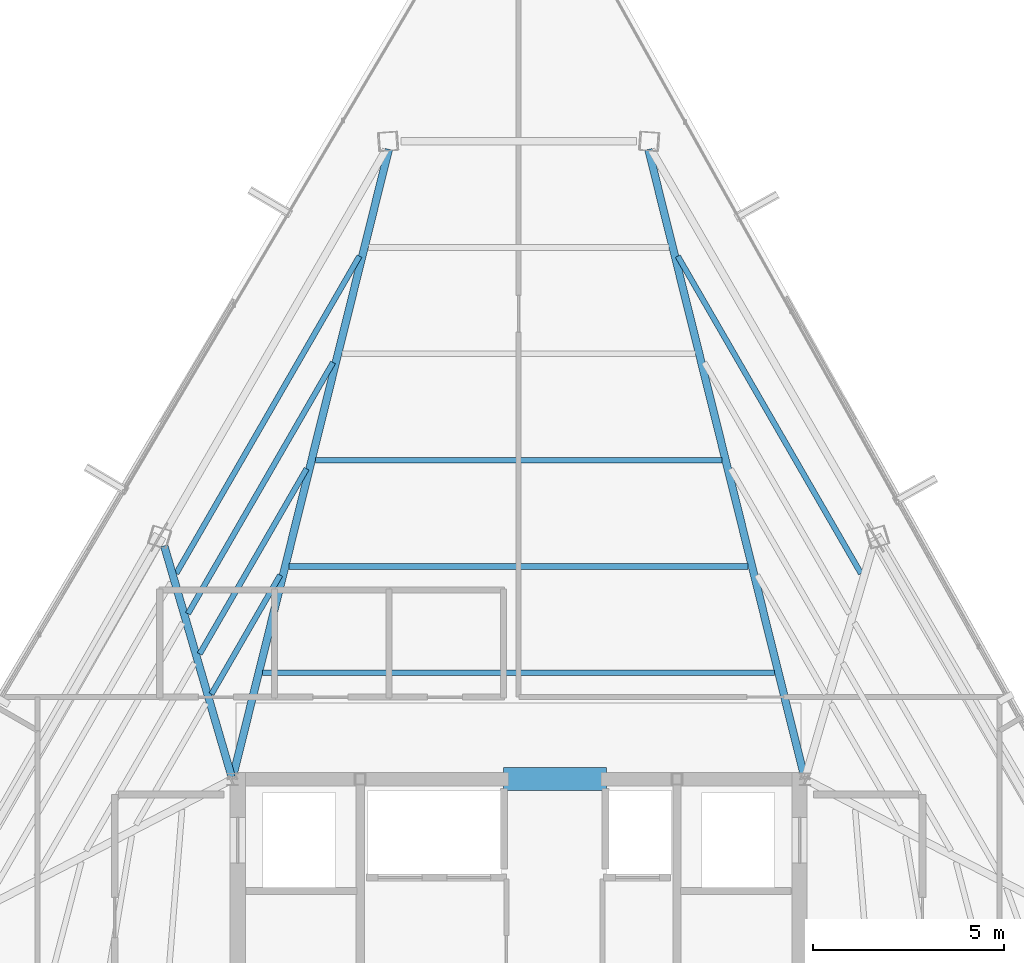
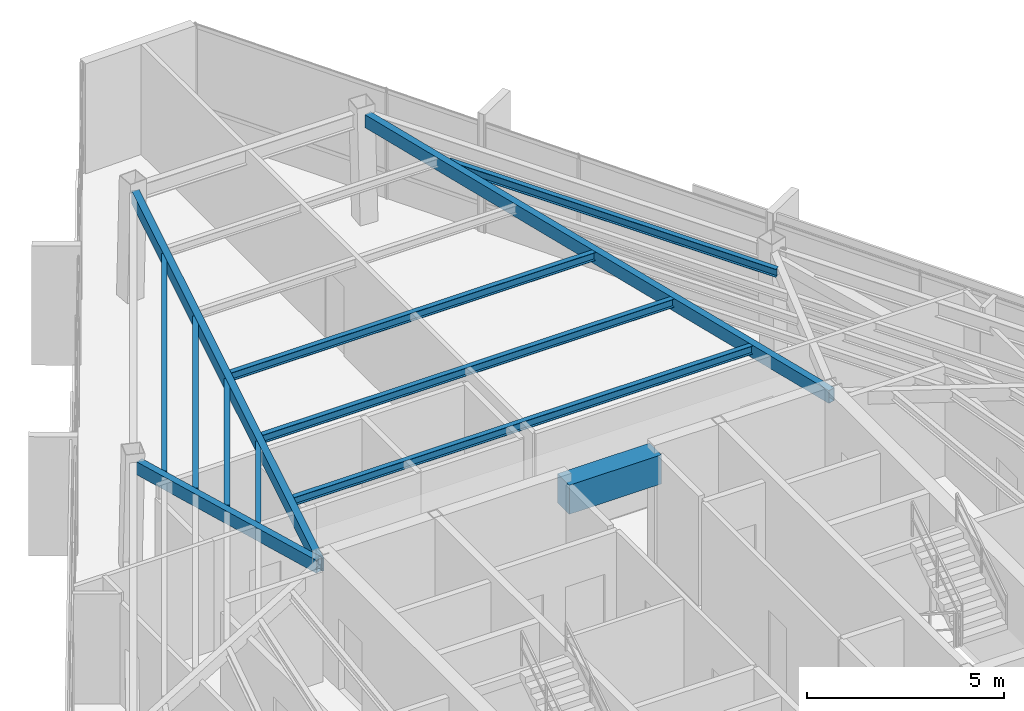
# One storey, part 20 of 45: 12 beams.
"""IFC4 building model written with IfcOpenShell, lengths in metres."""

import ifcopenshell
import ifcopenshell.guid

model = None  # the IFC model being written
_history = None  # IfcOwnerHistory: only IFC2X3 demands one
_inside = {}  # id of a spatial element -> (the spatial element, [elements in it])
_under = {}  # id of a project, library or spatial element -> (it, [spatial elements below it])
_declared = {}  # id of a project -> (the project, [libraries it declares])
_typed = {}  # id of a type object -> (the type object, [elements of that type])
_made_of = {}  # id of a material, layer set ... -> (it, [elements and type objects made of it])


def new_model(schema):
    """Start an empty IFC model of exactly this schema.

    Asked for "IFC4X3", IfcOpenShell would pick the latest addendum, in which some entities
    have other attributes; the version numbers below select the first issue.
    IFC2X3 requires an IfcOwnerHistory on every rooted entity: one is made here for all.
    """
    global model, _history
    if schema == "IFC4X3":
        model = ifcopenshell.file(schema_version=(4, 3, 0, 0))
    else:
        model = ifcopenshell.file(schema=schema)
    _inside.clear()
    _under.clear()
    _declared.clear()
    _typed.clear()
    _made_of.clear()
    _history = None
    if model.schema == "IFC2X3":
        org = make("IfcOrganization", Name="unknown")
        user = make(
            "IfcPersonAndOrganization",
            ThePerson=make("IfcPerson", FamilyName="unknown"),
            TheOrganization=org,
        )
        app = make(
            "IfcApplication",
            ApplicationDeveloper=org,
            Version="unknown",
            ApplicationFullName="unknown",
            ApplicationIdentifier="unknown",
        )
        _history = make(
            "IfcOwnerHistory",
            OwningUser=user,
            OwningApplication=app,
            ChangeAction="ADDED",
            CreationDate=0,
        )
    return model


def make(cls, **values):
    """One entity of the class cls with the attributes given. An attribute that is None is left unset."""
    return model.create_entity(
        cls, **{name: value for name, value in values.items() if value is not None}
    )


def rooted(cls, **values):
    """An entity with a GlobalId (a new one), such as an element, a storey or a relation."""
    return make(cls, GlobalId=ifcopenshell.guid.new(), OwnerHistory=_history, **values)


def si_unit(unit_type, name, prefix=None):
    """IfcSIUnit, for example si_unit("LENGTHUNIT", "METRE", prefix="MILLI")."""
    return make("IfcSIUnit", UnitType=unit_type, Prefix=prefix, Name=name)


def assignment(units):
    """IfcUnitAssignment: the units of a project."""
    return None if units is None else make("IfcUnitAssignment", Units=units)


def point(xyz):
    """IfcCartesianPoint."""
    return None if xyz is None else make("IfcCartesianPoint", Coordinates=xyz)


def direction(xyz):
    """IfcDirection."""
    return None if xyz is None else make("IfcDirection", DirectionRatios=xyz)


def frame(location, z_axis=None, x_axis=None):
    """IfcAxis2Placement3D, a coordinate frame: its origin and axes. An axis left out is left unset."""
    return make(
        "IfcAxis2Placement3D",
        Location=point(location),
        Axis=direction(z_axis),
        RefDirection=direction(x_axis),
    )


def frame_2d(location, x_axis=None):
    """IfcAxis2Placement2D, a coordinate frame in the plane: its origin and x axis."""
    return make(
        "IfcAxis2Placement2D", Location=point(location), RefDirection=direction(x_axis)
    )


def origin():
    """The frame at (0, 0, 0) with its axes left unset."""
    return frame((0.0, 0.0, 0.0))


def origin_2d():
    """The frame at (0, 0) in the plane with its x axis left unset."""
    return frame_2d((0.0, 0.0))


def place(relative_to, where):
    """IfcLocalPlacement: puts the frame where relative to a parent placement (None: the world)."""
    return make(
        "IfcLocalPlacement", PlacementRelTo=relative_to, RelativePlacement=where
    )


def context(
    kind, dimensions, precision=None, world=None, true_north=None, identifier=None
):
    """IfcGeometricRepresentationContext, for example the 3D "Model" context."""
    return make(
        "IfcGeometricRepresentationContext",
        ContextIdentifier=identifier,
        ContextType=kind,
        CoordinateSpaceDimension=dimensions,
        Precision=precision,
        WorldCoordinateSystem=world,
        TrueNorth=true_north,
    )


def subcontext(parent, identifier, kind, view, scale=None):
    """IfcGeometricRepresentationSubContext, for example "Body" below "Model"."""
    return make(
        "IfcGeometricRepresentationSubContext",
        ContextIdentifier=identifier,
        ContextType=kind,
        ParentContext=parent,
        TargetScale=scale,
        TargetView=view,
    )


def project(units=None, contexts=None):
    """IfcProject with its units and contexts."""
    return rooted(
        "IfcProject",
        Name="project",
        RepresentationContexts=contexts,
        UnitsInContext=assignment(units),
    )


def spatial(cls, under=None, at=None, **own):
    """A site, building, storey or space (cls), placed at a placement, below another one or the project."""
    s = rooted(cls, ObjectPlacement=at, **own)
    if under is not None:
        _under.setdefault(under.id(), (under, []))[1].append(s)
    return s


def profile(cls, at=None, kind="AREA", **sizes):
    """A parametric profile (cls). Its sizes go by their IFC names, for example OverallWidth=200.0."""
    return make(cls, ProfileType=kind, Position=at, **sizes)


def rectangle(**sizes):
    """IfcRectangleProfileDef."""
    return profile("IfcRectangleProfileDef", **sizes)


def hollow_rectangle(**sizes):
    """IfcRectangleHollowProfileDef."""
    return profile("IfcRectangleHollowProfileDef", **sizes)


def i_section(**sizes):
    """IfcIShapeProfileDef."""
    return profile("IfcIShapeProfileDef", **sizes)


def extrude(swept, where, along, depth):
    """IfcExtrudedAreaSolid: the profile swept, set in the frame where, extruded along a direction by depth."""
    return make(
        "IfcExtrudedAreaSolid",
        SweptArea=swept,
        Position=where,
        ExtrudedDirection=direction(along),
        Depth=depth,
    )


def shape(context_of_items, identifier, shape_type, items):
    """IfcShapeRepresentation: the items that make up one representation, for example the "Body"."""
    return make(
        "IfcShapeRepresentation",
        ContextOfItems=context_of_items,
        RepresentationIdentifier=identifier,
        RepresentationType=shape_type,
        Items=items,
    )


def source(mapping_origin, context_of_items, identifier, shape_type, items):
    """IfcRepresentationMap: a shape defined once, which mapped items show again and again."""
    return make(
        "IfcRepresentationMap",
        MappingOrigin=mapping_origin,
        MappedRepresentation=shape(context_of_items, identifier, shape_type, items),
    )


def transform(
    local_origin,
    x_axis=None,
    y_axis=None,
    z_axis=None,
    scale=None,
    scale2=None,
    scale3=None,
    uniform=True,
):
    """IfcCartesianTransformationOperator3D, or its non-uniform kind. x_axis, y_axis, z_axis: its Axis1, 2, 3."""
    if uniform:
        return make(
            "IfcCartesianTransformationOperator3D",
            Axis1=direction(x_axis),
            Axis2=direction(y_axis),
            LocalOrigin=point(local_origin),
            Scale=scale,
            Axis3=direction(z_axis),
        )
    return make(
        "IfcCartesianTransformationOperator3DnonUniform",
        Axis1=direction(x_axis),
        Axis2=direction(y_axis),
        LocalOrigin=point(local_origin),
        Scale=scale,
        Axis3=direction(z_axis),
        Scale2=scale2,
        Scale3=scale3,
    )


def mapped(mapping_source, mapping_target):
    """IfcMappedItem: shows the shape of a source again, moved by a transform."""
    return make(
        "IfcMappedItem", MappingSource=mapping_source, MappingTarget=mapping_target
    )


def material(Name=None, Category=None):
    """IfcMaterial."""
    return make("IfcMaterial", Name=Name, Category=Category)


def material_profile(
    of_material, cross_section, Name=None, Category=None, Priority=None
):
    """IfcMaterialProfile: a cross section and its material."""
    return make(
        "IfcMaterialProfile",
        Name=Name,
        Material=of_material,
        Profile=cross_section,
        Priority=Priority,
        Category=Category,
    )


def profile_set(profiles, Name=None, composite=None):
    """IfcMaterialProfileSet."""
    return make(
        "IfcMaterialProfileSet",
        Name=Name,
        MaterialProfiles=profiles,
        CompositeProfile=composite,
    )


def made_of(thing, what):
    """Note that an element or type object is made of a material, layer set ...; save() writes the relation."""
    if what is not None:
        _made_of.setdefault(what.id(), (what, []))[1].append(thing)
    return thing


def type_object(cls, material=None, **own):
    """A type object (cls), such as IfcWallType, which elements share."""
    return made_of(rooted(cls, **own), material)


def type_shapes(of_type, sources):
    """Give a type object the sources (RepresentationMaps) that its elements show as mapped items."""
    of_type.RepresentationMaps = sources


def element(
    cls,
    number,
    at=None,
    inside=None,
    cuts=None,
    type_object=None,
    material=None,
    context=None,
    identifier="Body",
    shape_type=None,
    held_by="IfcProductDefinitionShape",
    body=None,
    shapes=None,
    **own,
):
    """One element of the class cls, such as IfcWall. Its Tag is "e" and its number.

    at: its placement. inside: the storey or other place that contains it. cuts: it is an
    opening in that element (IfcRelVoidsElement). A single representation is given by context,
    identifier, shape_type and body (its items); several are given by shapes. held_by: the class
    of the entity that holds the representations. save() writes the other relations.
    """
    e = rooted(cls, Tag="e%d" % number, ObjectPlacement=at, **own)
    if body is not None:
        shapes = [shape(context, identifier, shape_type, body)]
    if shapes is not None:
        e.Representation = make(held_by, Representations=shapes)
    if inside is not None:
        _inside.setdefault(inside.id(), (inside, []))[1].append(e)
    if cuts is not None:
        rooted(
            "IfcRelVoidsElement", RelatingBuildingElement=cuts, RelatedOpeningElement=e
        )
    if type_object is not None:
        _typed.setdefault(type_object.id(), (type_object, []))[1].append(e)
    return made_of(e, material)


def aggregate(whole, parts):
    """IfcRelAggregates: a whole, such as a stair, and the parts it consists of."""
    return rooted("IfcRelAggregates", RelatingObject=whole, RelatedObjects=parts)


def save(model, path):
    """Write the relations noted so far, then the file.

    IfcRelAggregates (storeys below a building ...), IfcRelContainedInSpatialStructure (elements
    in a storey), IfcRelDefinesByType, IfcRelAssociatesMaterial and IfcRelDeclares: one each for
    every whole, place, type object, material and project.
    """
    for whole, parts in _under.values():
        aggregate(whole, parts)
    for where, things in _inside.values():
        rooted(
            "IfcRelContainedInSpatialStructure",
            RelatedElements=things,
            RelatingStructure=where,
        )
    for kind, things in _typed.values():
        rooted("IfcRelDefinesByType", RelatedObjects=things, RelatingType=kind)
    for what, things in _made_of.values():
        rooted("IfcRelAssociatesMaterial", RelatedObjects=things, RelatingMaterial=what)
    for by, libraries in _declared.values():
        rooted("IfcRelDeclares", RelatingContext=by, RelatedDefinitions=libraries)
    model.write(path)


model = new_model("IFC4")

# Units and contexts
model_context = context("Model", 3, precision=1e-05, world=origin(), true_north=direction((0.0, 1.0)))
body_context = subcontext(model_context, "Body", "Model", "MODEL_VIEW")
ifc_project = project(units=[si_unit("LENGTHUNIT", "METRE"), si_unit("AREAUNIT", "SQUARE_METRE"), si_unit("VOLUMEUNIT", "CUBIC_METRE"), si_unit("PLANEANGLEUNIT", "RADIAN"), si_unit("MASSUNIT", "GRAM", prefix="KILO")], contexts=[model_context])

# Site, building, storey
site_placement = place(None, origin())
site = spatial("IfcSite", under=ifc_project, at=site_placement, CompositionType="ELEMENT")
building_placement = place(site_placement, origin())
building = spatial("IfcBuilding", under=site, at=building_placement, Name="Caelisora Broadcast Tower", CompositionType="ELEMENT")
storey_placement = place(building_placement, frame((0.0, 0.0, 273.64990234375)))
storey = spatial("IfcBuildingStorey", under=building, at=storey_placement, Name="L72", CompositionType="ELEMENT", Elevation=273.64990234375)

# Beams
ifc_material_1 = material(Name="Concrete 50 MPa (AS 3600 S50)", Category="concrete")
ifc_material_profile_1 = material_profile(ifc_material_1, rectangle(XDim=0.60009765625, YDim=0.89990234375, at=origin_2d()), Name="Concrete 50 MPa (AS 3600 S50)")
ifc_profile_set_1 = profile_set([ifc_material_profile_1], Name="Concrete 50 MPa (AS 3600 S50)")
beam_type_1 = type_object("IfcBeamType", Name="CB02", PredefinedType="LINTEL", material=ifc_profile_set_1)
shared_shape_1 = source(origin(), body_context, "Body", "SweptSolid", [
    extrude(rectangle(XDim=0.60009765625, YDim=0.89990234375, at=origin_2d()), origin(), (0.0, 0.0, 1.0), 2.699951171875),
])
type_shapes(beam_type_1, [shared_shape_1])
beam_1_placement = place(storey_placement, frame((37.60009765625, 30.0, 2.9501953125), z_axis=(1.0, 0.0, 0.0), x_axis=(0.0, 1.0, 0.0)))
element("IfcBeam", 1, at=beam_1_placement, inside=storey, type_object=beam_type_1, Name="L72 beam CB02", PredefinedType="LINTEL", context=body_context, shape_type="MappedRepresentation", body=[
    mapped(shared_shape_1, transform((0.0, 0.0, 0.0), scale=1.0)),
])
ifc_material_2 = material(Name="Steel Grade 350 (AS/NZS 1163 C350L0)", Category="steel")
ifc_material_profile_2 = material_profile(ifc_material_2, hollow_rectangle(XDim=0.199951171875, YDim=0.39990234375, WallThickness=0.012451171875, at=origin_2d()), Name="Steel Grade 350 (AS/NZS 1163 C350L0)")
ifc_profile_set_2 = profile_set([ifc_material_profile_2], Name="Steel Grade 350 (AS/NZS 1163 C350L0)")
beam_type_2 = type_object("IfcBeamType", Name="PG07", PredefinedType="BEAM", material=ifc_profile_set_2)
shared_shape_2 = source(origin(), body_context, "Body", "SweptSolid", [
    extrude(hollow_rectangle(XDim=0.199951171875, YDim=0.39990234375, WallThickness=0.012451171875, at=origin_2d()), origin(), (0.0, 0.0, 1.0), 16.93994140625),
])
for number, where, z_axis, x_axis, name in (
    (2, (45.485595703125, 30.05810546875, 3.2001953125), (-0.241185743754, 0.970478972987, 0.0), (-0.970478972987, -0.241185743754, 0.0), "L72 beam PG07"),
    (3, (30.514404296875, 30.05810546875, 3.2001953125), (0.241185743754, 0.970478972987, 0.0), (-0.970478972987, 0.241185743754, 0.0), "L72 beam PG07"),
):
    element("IfcBeam", number, at=place(storey_placement, frame(where, z_axis=z_axis, x_axis=x_axis)), inside=storey, type_object=beam_type_2, Name=name, PredefinedType="BEAM", context=body_context, shape_type="MappedRepresentation", body=[
        mapped(shared_shape_2, transform((0.0, 0.0, 0.0), scale=1.0)),
    ])
shared_shape_3 = source(origin(), body_context, "Body", "SweptSolid", [
    extrude(hollow_rectangle(XDim=0.199951171875, YDim=0.39990234375, WallThickness=0.012451171875, at=origin_2d()), origin(), (0.0, 0.0, 1.0), 6.3056640625),
])
type_shapes(beam_type_2, [shared_shape_2, shared_shape_3])
beam_2_placement = place(storey_placement, frame((30.483154296875, 30.0576171875, 3.2001953125), z_axis=(-0.280203682454, 0.95994056917, 0.0), x_axis=(-0.95994056917, -0.280203682454, 0.0)))
element("IfcBeam", 4, at=beam_2_placement, inside=storey, type_object=beam_type_2, Name="L72 beam PG07", PredefinedType="BEAM", context=body_context, shape_type="MappedRepresentation", body=[
    mapped(shared_shape_3, transform((0.0, 0.0, 0.0), scale=1.0)),
])
ifc_material_3 = material(Name="Steel Grade 350 (AS/NZS 3679.1)", Category="steel")
ifc_material_profile_3 = material_profile(ifc_material_3, i_section(OverallWidth=0.14599609375, OverallDepth=0.256103515625, WebThickness=0.00634765625, FlangeThickness=0.010986328125, at=origin_2d()), Name="Steel Grade 350 (AS/NZS 3679.1)")
ifc_profile_set_3 = profile_set([ifc_material_profile_3], Name="Steel Grade 350 (AS/NZS 3679.1)")
beam_type_3 = type_object("IfcBeamType", Name="SB04", PredefinedType="JOIST", material=ifc_profile_set_3)
shared_shape_4 = source(origin(), body_context, "Body", "SweptSolid", [
    extrude(i_section(OverallWidth=0.14599609375, OverallDepth=0.256103515625, WebThickness=0.00634765625, FlangeThickness=0.010986328125, at=origin_2d()), origin(), (0.0, 0.0, 1.0), 13.41552734375),
])
beam_3_placement = place(storey_placement, frame((44.707763671875, 32.78515625, 3.27197265625), z_axis=(-1.0, 0.0, 0.0), x_axis=(0.0, -1.0, 0.0)))
element("IfcBeam", 5, at=beam_3_placement, inside=storey, type_object=beam_type_3, Name="L72 beam SB04", PredefinedType="JOIST", context=body_context, shape_type="MappedRepresentation", body=[
    mapped(shared_shape_4, transform((0.0, 0.0, 0.0), scale=1.0)),
])
shared_shape_5 = source(origin(), body_context, "Body", "SweptSolid", [
    extrude(i_section(OverallWidth=0.14599609375, OverallDepth=0.256103515625, WebThickness=0.00634765625, FlangeThickness=0.010986328125, at=origin_2d()), origin(), (0.0, 0.0, 1.0), 12.03125),
])
beam_4_placement = place(storey_placement, frame((44.015625, 35.570556640625, 3.27197265625), z_axis=(-1.0, 0.0, 0.0), x_axis=(0.0, -1.0, 0.0)))
element("IfcBeam", 6, at=beam_4_placement, inside=storey, type_object=beam_type_3, Name="L72 beam SB04", PredefinedType="JOIST", context=body_context, shape_type="MappedRepresentation", body=[
    mapped(shared_shape_5, transform((0.0, 0.0, 0.0), scale=1.0)),
])
shared_shape_6 = source(origin(), body_context, "Body", "SweptSolid", [
    extrude(i_section(OverallWidth=0.14599609375, OverallDepth=0.256103515625, WebThickness=0.00634765625, FlangeThickness=0.010986328125, at=origin_2d()), origin(), (0.0, 0.0, 1.0), 10.646484375),
])
beam_5_placement = place(storey_placement, frame((43.3232421875, 38.355712890625, 3.27197265625), z_axis=(-1.0, 0.0, 0.0), x_axis=(0.0, -1.0, 0.0)))
element("IfcBeam", 7, at=beam_5_placement, inside=storey, type_object=beam_type_3, Name="L72 beam SB04", PredefinedType="JOIST", context=body_context, shape_type="MappedRepresentation", body=[
    mapped(shared_shape_6, transform((0.0, 0.0, 0.0), scale=1.0)),
])
shared_shape_7 = source(origin(), body_context, "Body", "SweptSolid", [
    extrude(i_section(OverallWidth=0.14599609375, OverallDepth=0.256103515625, WebThickness=0.00634765625, FlangeThickness=0.010986328125, at=origin_2d()), origin(), (0.0, 0.0, 1.0), 3.603515625),
])
beam_6_placement = place(storey_placement, frame((31.75439453125, 35.34521484375, 3.27197265625), z_axis=(-0.500015694476, -0.866016342385, 0.0), x_axis=(0.866016342385, -0.500015694476, 0.0)))
element("IfcBeam", 8, at=beam_6_placement, inside=storey, type_object=beam_type_3, Name="L72 beam SB04", PredefinedType="JOIST", context=body_context, shape_type="MappedRepresentation", body=[
    mapped(shared_shape_7, transform((0.0, 0.0, 0.0), scale=1.0)),
])
shared_shape_8 = source(origin(), body_context, "Body", "SweptSolid", [
    extrude(i_section(OverallWidth=0.14599609375, OverallDepth=0.256103515625, WebThickness=0.00634765625, FlangeThickness=0.010986328125, at=origin_2d()), origin(), (0.0, 0.0, 1.0), 5.602783203125),
])
beam_7_placement = place(storey_placement, frame((32.446533203125, 38.13037109375, 3.27197265625), z_axis=(-0.500024208497, -0.866011426551, 0.0), x_axis=(0.866011426551, -0.500024208497, 0.0)))
element("IfcBeam", 9, at=beam_7_placement, inside=storey, type_object=beam_type_3, Name="L72 beam SB04", PredefinedType="JOIST", context=body_context, shape_type="MappedRepresentation", body=[
    mapped(shared_shape_8, transform((0.0, 0.0, 0.0), scale=1.0)),
])
shared_shape_9 = source(origin(), body_context, "Body", "SweptSolid", [
    extrude(i_section(OverallWidth=0.14599609375, OverallDepth=0.256103515625, WebThickness=0.00634765625, FlangeThickness=0.010986328125, at=origin_2d()), origin(), (0.0, 0.0, 1.0), 7.6025390625),
])
beam_8_placement = place(storey_placement, frame((33.138916015625, 40.915771484375, 3.27197265625), z_axis=(-0.500000432093, -0.866025154315, 0.0), x_axis=(0.866025154315, -0.500000432093, 0.0)))
element("IfcBeam", 10, at=beam_8_placement, inside=storey, type_object=beam_type_3, Name="L72 beam SB04", PredefinedType="JOIST", context=body_context, shape_type="MappedRepresentation", body=[
    mapped(shared_shape_9, transform((0.0, 0.0, 0.0), scale=1.0)),
])
shared_shape_10 = source(origin(), body_context, "Body", "SweptSolid", [
    extrude(i_section(OverallWidth=0.14599609375, OverallDepth=0.256103515625, WebThickness=0.00634765625, FlangeThickness=0.010986328125, at=origin_2d()), origin(), (0.0, 0.0, 1.0), 9.601806640625),
])
type_shapes(beam_type_3, [shared_shape_4, shared_shape_5, shared_shape_6, shared_shape_7, shared_shape_8, shared_shape_9, shared_shape_10])
for number, where, z_axis, x_axis, name in (
    (11, (33.8310546875, 43.700927734375, 3.27197265625), (-0.500008578143, -0.866020451134, 0.0), (0.866020451134, -0.500008578143, 0.0), "L72 beam SB04"),
    (12, (46.969970703125, 35.385498046875, 3.27197265625), (-0.500008578143, 0.866020451134, 0.0), (-0.866020451134, -0.500008578143, 0.0), "L72 beam SB04"),
):
    element("IfcBeam", number, at=place(storey_placement, frame(where, z_axis=z_axis, x_axis=x_axis)), inside=storey, type_object=beam_type_3, Name=name, PredefinedType="JOIST", context=body_context, shape_type="MappedRepresentation", body=[
        mapped(shared_shape_10, transform((0.0, 0.0, 0.0), scale=1.0)),
    ])

save(model, "model.ifc")
